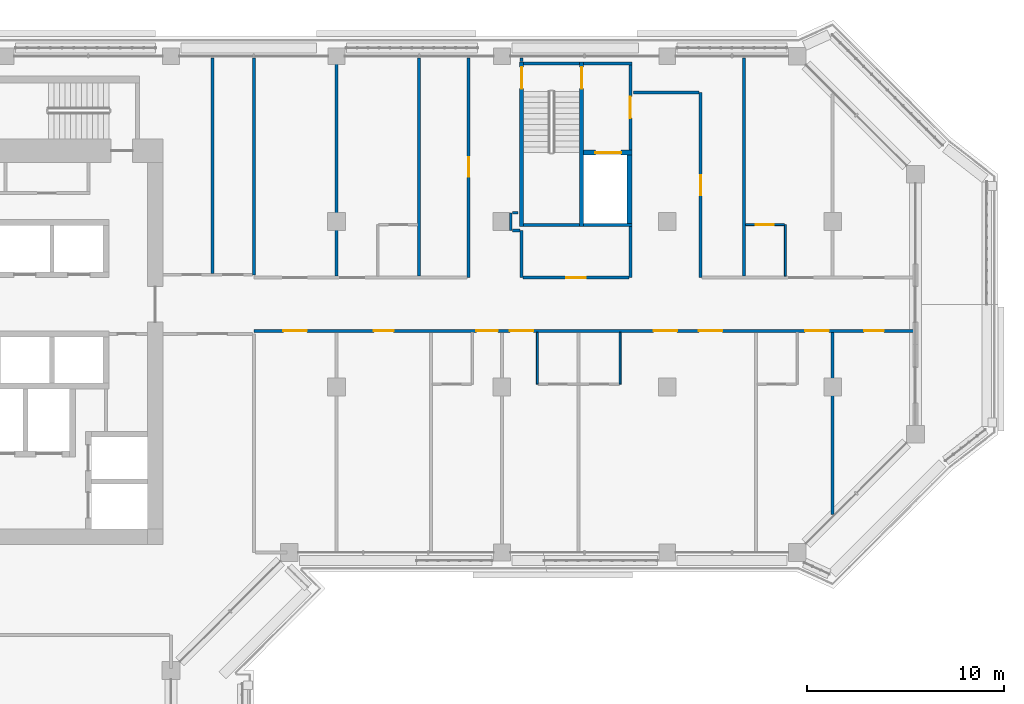
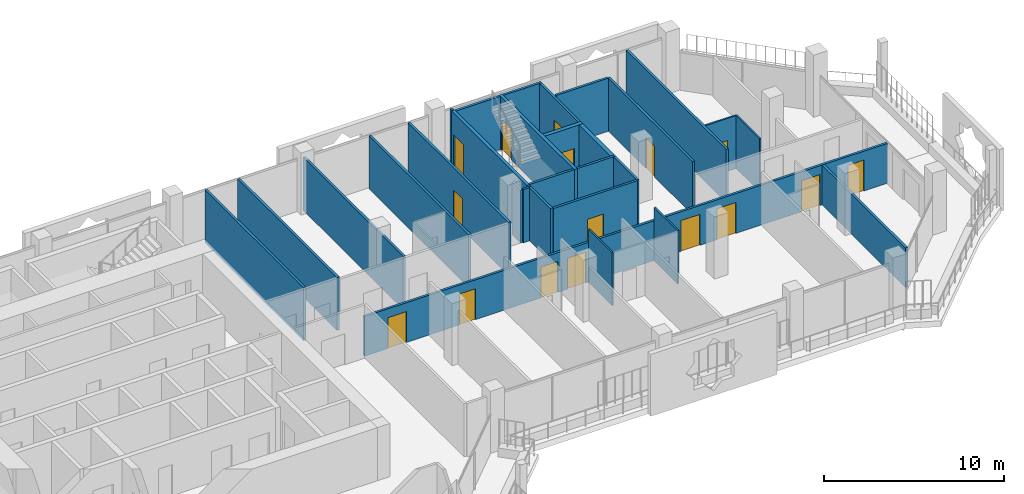
# One storey, part 13 of 22: 30 walls, 16 doors, 16 openings.
"""IFC4 building model written with IfcOpenShell, lengths in metres."""

from ifc_helpers import new_model, si_unit, direction, frame, frame_2d, origin, place, context, subcontext, project, spatial, rectangle, extrude, material, layer, layer_set, type_object, element, fill, save


model = new_model("IFC4")

# Units and contexts
model_context = context("Model", 3, precision=1e-05, world=origin(), true_north=direction((0.0, 1.0)))
body_context = subcontext(model_context, "Body", "Model", "MODEL_VIEW")
ifc_project = project(units=[si_unit("LENGTHUNIT", "METRE"), si_unit("AREAUNIT", "SQUARE_METRE"), si_unit("VOLUMEUNIT", "CUBIC_METRE"), si_unit("PLANEANGLEUNIT", "RADIAN"), si_unit("MASSUNIT", "GRAM", prefix="KILO")], contexts=[model_context])

# Site, building, storey
site_placement = place(None, origin())
site = spatial("IfcSite", under=ifc_project, at=site_placement, CompositionType="ELEMENT")
building_placement = place(site_placement, origin())
building = spatial("IfcBuilding", under=site, at=building_placement, Name="Kawkab Arch Medical Tower", CompositionType="ELEMENT")
storey_placement = place(building_placement, frame((0.0, 0.0, 251.60009765625)))
storey = spatial("IfcBuildingStorey", under=building, at=storey_placement, Name="L58", CompositionType="ELEMENT", Elevation=251.60009765625)

# Wall, opening, door
ifc_material_1 = material(Name="Gypsum board on steel studs", Category="steel")
ifc_layer_1 = layer(ifc_material_1, 0.14990234375)
ifc_layer_set_1 = layer_set([ifc_layer_1], Name="Gypsum board on steel studs")
wall_type_1 = type_object("IfcWallType", Name="Core room partition 150", PredefinedType="PARTITIONING", material=ifc_layer_set_1)
wall_1_placement = place(storey_placement, frame((48.52490234375, -4.77490234375, 0.0), z_axis=(0.0, 0.0, 1.0), x_axis=(0.0, 1.0, 0.0)))
wall_1 = element("IfcWall", 1, at=wall_1_placement, inside=storey, type_object=wall_type_1, Name="L58 core room partition", PredefinedType="PARTITIONING", context=body_context, shape_type="SweptSolid", body=[
    extrude(rectangle(XDim=4.324951171875, YDim=0.14990234375, at=frame_2d((2.16259765625, 0.0))), origin(), (0.0, 0.0, 1.0), 3.599853515625),
])
opening_1_placement = place(wall_1_placement, frame((1.625, 0.0, 0.0)))
opening_1 = element("IfcOpeningElement", 2, at=opening_1_placement, cuts=wall_1, Name="Opening FD", PredefinedType="OPENING", context=body_context, shape_type="SweptSolid", body=[
    extrude(rectangle(XDim=1.10009765625, YDim=2.10009765625, at=frame_2d((0.550048828125, 1.050048828125))), frame((0.0, 0.0849609375, 0.0), z_axis=(0.0, -1.0, 0.0), x_axis=(1.0, 0.0, 0.0)), (0.0, 0.0, 1.0), 0.169921875),
])
ifc_material_2 = material(Name="Hollow metal fire door leaf")
door_type_1 = type_object("IfcDoorType", Name="Firefighting lobby door 1100", OperationType="SINGLE_SWING_LEFT", PredefinedType="DOOR", material=ifc_material_2)
door_1_placement = place(opening_1_placement, origin())
door_1 = element("IfcDoor", 3, at=door_1_placement, inside=storey, type_object=door_type_1, Name="L58 Service lift lobby door SV1", OperationType="SINGLE_SWING_LEFT", OverallHeight=2.10009765625, OverallWidth=1.10009765625, PredefinedType="DOOR", context=body_context, shape_type="SweptSolid", body=[
    extrude(rectangle(XDim=1.10009765625, YDim=2.10009765625, at=frame_2d((0.550048828125, 1.050048828125))), frame((0.0, 0.02490234375, 0.0), z_axis=(0.0, -1.0, 0.0), x_axis=(1.0, 0.0, 0.0)), (0.0, 0.0, 1.0), 0.050048828125),
])
fill(opening_1, door_1)

ifc_material_3 = material(Name="Concrete C60/75", Category="concrete")
ifc_layer_2 = layer(ifc_material_3, 0.25)
ifc_layer_set_2 = layer_set([ifc_layer_2], Name="Concrete C60/75")
wall_type_2 = type_object("IfcWallType", Name="Core shear wall 250 C60/75", PredefinedType="SHEAR", material=ifc_layer_set_2)
wall_2_placement = place(storey_placement, frame((46.14990234375, -4.89990234375, 0.0), z_axis=(0.0, 0.0, 1.0), x_axis=(1.0, 0.0, 0.0)))
wall_2 = element("IfcWall", 4, at=wall_2_placement, inside=storey, type_object=wall_type_2, Name="L58 core shear wall", PredefinedType="SHEAR", context=body_context, shape_type="SweptSolid", body=[
    extrude(rectangle(XDim=2.4501953125, YDim=0.25, at=frame_2d((1.22509765625, 0.0))), origin(), (0.0, 0.0, 1.0), 3.599853515625),
])
opening_2_placement = place(wall_2_placement, frame((0.60009765625, 0.0, 0.0)))
opening_2 = element("IfcOpeningElement", 5, at=opening_2_placement, cuts=wall_2, Name="Opening LD2", PredefinedType="OPENING", context=body_context, shape_type="SweptSolid", body=[
    extrude(rectangle(XDim=1.300048828125, YDim=2.10009765625, at=frame_2d((0.64990234375, 1.050048828125))), frame((0.0, 0.135009765625, 0.0), z_axis=(0.0, -1.0, 0.0), x_axis=(1.0, 0.0, 0.0)), (0.0, 0.0, 1.0), 0.27001953125),
])
ifc_material_4 = material(Name="Stainless steel lift door leaf", Category="steel")
door_type_2 = type_object("IfcDoorType", Name="Lift landing door 1300", OperationType="DOUBLE_DOOR_SLIDING", PredefinedType="DOOR", material=ifc_material_4)
door_2_placement = place(opening_2_placement, origin())
door_2 = element("IfcDoor", 6, at=door_2_placement, inside=storey, type_object=door_type_2, Name="L58 Lift landing door SV1", OperationType="DOUBLE_DOOR_SLIDING", OverallHeight=2.10009765625, OverallWidth=1.300048828125, PredefinedType="DOOR", context=body_context, shape_type="SweptSolid", body=[
    extrude(rectangle(XDim=1.300048828125, YDim=2.10009765625, at=frame_2d((0.64990234375, 1.050048828125))), frame((0.0, 0.02490234375, 0.0), z_axis=(0.0, -1.0, 0.0), x_axis=(1.0, 0.0, 0.0)), (0.0, 0.0, 1.0), 0.050048828125),
])
fill(opening_2, door_2)

# Wall
wall_3_placement = place(storey_placement, frame((48.47509765625, -8.5, 0.0), z_axis=(0.0, 0.0, 1.0), x_axis=(0.0, 1.0, 0.0)))
element("IfcWall", 7, at=wall_3_placement, inside=storey, type_object=wall_type_2, Name="L58 core shear wall", PredefinedType="SHEAR", context=body_context, shape_type="SweptSolid", body=[
    extrude(rectangle(XDim=3.47509765625, YDim=0.25, at=frame_2d((1.737548828125, 0.0))), origin(), (0.0, 0.0, 1.0), 3.599853515625),
])

# Wall, opening, door
ifc_material_5 = material(Name="Gypsum board partition on steel studs", Category="steel")
ifc_layer_3 = layer(ifc_material_5, 0.10009765625)
ifc_layer_set_3 = layer_set([ifc_layer_3], Name="Gypsum board partition on steel studs")
wall_type_3 = type_object("IfcWallType", Name="Partition 100", PredefinedType="PARTITIONING", material=ifc_layer_set_3)
wall_4_placement = place(storey_placement, frame((54.375, -8.550048828125, 0.0), z_axis=(0.0, 0.0, 1.0), x_axis=(1.0, 0.0, 0.0)))
wall_4 = element("IfcWall", 8, at=wall_4_placement, inside=storey, type_object=wall_type_3, Name="Partition 100 w005", PredefinedType="PARTITIONING", context=body_context, shape_type="SweptSolid", body=[
    extrude(rectangle(XDim=1.97509765625, YDim=0.10009765625, at=frame_2d((0.987548828125, 0.0))), origin(), (0.0, 0.0, 1.0), 3.599853515625),
])
opening_3_placement = place(wall_4_placement, frame((0.52490234375, 0.0, 0.0)))
opening_3 = element("IfcOpeningElement", 9, at=opening_3_placement, cuts=wall_4, Name="Opening W53-004", PredefinedType="OPENING", context=body_context, shape_type="SweptSolid", body=[
    extrude(rectangle(XDim=0.89990234375, YDim=2.10009765625, at=frame_2d((0.449951171875, 1.050048828125))), frame((0.0, 0.06005859375, 0.0), z_axis=(0.0, -1.0, 0.0), x_axis=(1.0, 0.0, 0.0)), (0.0, 0.0, 1.0), 0.1201171875),
])
ifc_material_6 = material(Name="Timber door leaf", Category="wood")
door_type_3 = type_object("IfcDoorType", Name="Single door 900x2100", OperationType="NOTDEFINED", PredefinedType="DOOR", material=ifc_material_6)
door_3_placement = place(opening_3_placement, origin())
door_3 = element("IfcDoor", 10, at=door_3_placement, inside=storey, type_object=door_type_3, Name="Door W53-004", OperationType="SINGLE_SWING_LEFT", OverallHeight=2.10009765625, OverallWidth=0.89990234375, PredefinedType="DOOR", context=body_context, shape_type="SweptSolid", body=[
    extrude(rectangle(XDim=0.89990234375, YDim=2.10009765625, at=frame_2d((0.449951171875, 1.050048828125))), frame((0.0, 0.02490234375, 0.0), z_axis=(0.0, -1.0, 0.0), x_axis=(1.0, 0.0, 0.0)), (0.0, 0.0, 1.0), 0.050048828125),
])
fill(opening_3, door_3)

# Walls
for number, where, z_axis, x_axis, name in (
    (11, (43.800048828125, -16.64990234375, 0.0), (0.0, 0.0, 1.0), (0.0, 1.0, 0.0), "Partition 100 w008"),
    (12, (48.0, -16.64990234375, 0.0), (0.0, 0.0, 1.0), (0.0, 1.0, 0.0), "Partition 100 w009"),
    (13, (56.39990234375, -11.175048828125, 0.0), (0.0, 0.0, 1.0), (0.0, 1.0, 0.0), "Partition 100 w010"),
):
    element("IfcWall", number, at=place(storey_placement, frame(where, z_axis=z_axis, x_axis=x_axis)), inside=storey, type_object=wall_type_3, Name=name, PredefinedType="PARTITIONING", context=body_context, shape_type="SweptSolid", body=[
        extrude(rectangle(XDim=2.625, YDim=0.10009765625, at=frame_2d((1.3125, 0.0))), origin(), (0.0, 0.0, 1.0), 3.599853515625),
    ])

# Wall, openings, doors
ifc_material_7 = material(Name="Gypsum board partition on steel studs, mineral wool", Category="steel")
ifc_layer_4 = layer(ifc_material_7, 0.14990234375)
ifc_layer_set_4 = layer_set([ifc_layer_4], Name="Gypsum board partition on steel studs, mineral wool")
wall_type_4 = type_object("IfcWallType", Name="Partition 150", PredefinedType="PARTITIONING", material=ifc_layer_set_4)
wall_5_placement = place(storey_placement, frame((29.39990234375, -13.949951171875, 0.0), z_axis=(0.0, 0.0, 1.0), x_axis=(1.0, 0.0, 0.0)))
wall_5 = element("IfcWall", 14, at=wall_5_placement, inside=storey, type_object=wall_type_4, Name="Partition 150 w023", PredefinedType="PARTITIONING", context=body_context, shape_type="SweptSolid", body=[
    extrude(rectangle(XDim=33.52001953125, YDim=0.14990234375, at=frame_2d((16.760009765625, 0.0))), origin(), (0.0, 0.0, 1.0), 2.699951171875),
])
opening_4_placement = place(wall_5_placement, frame((1.5, 0.0, 0.0)))
opening_4 = element("IfcOpeningElement", 15, at=opening_4_placement, cuts=wall_5, Name="Opening W53-026", PredefinedType="OPENING", context=body_context, shape_type="SweptSolid", body=[
    extrude(rectangle(XDim=1.199951171875, YDim=2.10009765625, at=frame_2d((0.60009765625, 1.050048828125))), frame((0.0, 0.0849609375, 0.0), z_axis=(0.0, -1.0, 0.0), x_axis=(1.0, 0.0, 0.0)), (0.0, 0.0, 1.0), 0.169921875),
])
opening_5_placement = place(wall_5_placement, frame((6.10009765625, 0.0, 0.0)))
opening_5 = element("IfcOpeningElement", 16, at=opening_5_placement, cuts=wall_5, Name="Opening W53-015", PredefinedType="OPENING", context=body_context, shape_type="SweptSolid", body=[
    extrude(rectangle(XDim=1.0, YDim=2.10009765625, at=frame_2d((0.5, 1.050048828125))), frame((0.0, 0.0849609375, 0.0), z_axis=(0.0, -1.0, 0.0), x_axis=(1.0, 0.0, 0.0)), (0.0, 0.0, 1.0), 0.169921875),
])
opening_6_placement = place(wall_5_placement, frame((11.300048828125, 0.0, 0.0)))
opening_6 = element("IfcOpeningElement", 17, at=opening_6_placement, cuts=wall_5, Name="Opening W53-023", PredefinedType="OPENING", context=body_context, shape_type="SweptSolid", body=[
    extrude(rectangle(XDim=1.10009765625, YDim=2.10009765625, at=frame_2d((0.550048828125, 1.050048828125))), frame((0.0, 0.0849609375, 0.0), z_axis=(0.0, -1.0, 0.0), x_axis=(1.0, 0.0, 0.0)), (0.0, 0.0, 1.0), 0.169921875),
])
opening_7_placement = place(wall_5_placement, frame((13.0, 0.0, 0.0)))
opening_7 = element("IfcOpeningElement", 18, at=opening_7_placement, cuts=wall_5, Name="Opening W53-027", PredefinedType="OPENING", context=body_context, shape_type="SweptSolid", body=[
    extrude(rectangle(XDim=1.199951171875, YDim=2.10009765625, at=frame_2d((0.60009765625, 1.050048828125))), frame((0.0, 0.0849609375, 0.0), z_axis=(0.0, -1.0, 0.0), x_axis=(1.0, 0.0, 0.0)), (0.0, 0.0, 1.0), 0.169921875),
])
opening_8_placement = place(wall_5_placement, frame((22.60009765625, 0.0, 0.0)))
opening_8 = element("IfcOpeningElement", 19, at=opening_8_placement, cuts=wall_5, Name="Opening W53-028", PredefinedType="OPENING", context=body_context, shape_type="SweptSolid", body=[
    extrude(rectangle(XDim=1.199951171875, YDim=2.10009765625, at=frame_2d((0.60009765625, 1.050048828125))), frame((0.0, 0.0849609375, 0.0), z_axis=(0.0, -1.0, 0.0), x_axis=(1.0, 0.0, 0.0)), (0.0, 0.0, 1.0), 0.169921875),
])
opening_9_placement = place(wall_5_placement, frame((20.300048828125, 0.0, 0.0)))
opening_9 = element("IfcOpeningElement", 20, at=opening_9_placement, cuts=wall_5, Name="Opening W53-029", PredefinedType="OPENING", context=body_context, shape_type="SweptSolid", body=[
    extrude(rectangle(XDim=1.199951171875, YDim=2.10009765625, at=frame_2d((0.60009765625, 1.050048828125))), frame((0.0, 0.0849609375, 0.0), z_axis=(0.0, -1.0, 0.0), x_axis=(1.0, 0.0, 0.0)), (0.0, 0.0, 1.0), 0.169921875),
])
opening_10_placement = place(wall_5_placement, frame((28.0, 0.0, 0.0)))
opening_10 = element("IfcOpeningElement", 21, at=opening_10_placement, cuts=wall_5, Name="Opening W53-030", PredefinedType="OPENING", context=body_context, shape_type="SweptSolid", body=[
    extrude(rectangle(XDim=1.199951171875, YDim=2.10009765625, at=frame_2d((0.60009765625, 1.050048828125))), frame((0.0, 0.0849609375, 0.0), z_axis=(0.0, -1.0, 0.0), x_axis=(1.0, 0.0, 0.0)), (0.0, 0.0, 1.0), 0.169921875),
])
opening_11_placement = place(wall_5_placement, frame((31.0, 0.0, 0.0)))
opening_11 = element("IfcOpeningElement", 22, at=opening_11_placement, cuts=wall_5, Name="Opening W53-016", PredefinedType="OPENING", context=body_context, shape_type="SweptSolid", body=[
    extrude(rectangle(XDim=1.0, YDim=2.10009765625, at=frame_2d((0.5, 1.050048828125))), frame((0.0, 0.0849609375, 0.0), z_axis=(0.0, -1.0, 0.0), x_axis=(1.0, 0.0, 0.0)), (0.0, 0.0, 1.0), 0.169921875),
])
ifc_material_8 = material(Name="Hollow metal door leaf")
door_type_4 = type_object("IfcDoorType", Name="Single door 1000x2100 FD30S", OperationType="NOTDEFINED", PredefinedType="DOOR", material=ifc_material_8)
door_4_placement = place(opening_5_placement, origin())
door_4 = element("IfcDoor", 23, at=door_4_placement, inside=storey, type_object=door_type_4, Name="Door W53-015", OperationType="SINGLE_SWING_RIGHT", OverallHeight=2.10009765625, OverallWidth=1.0, PredefinedType="DOOR", context=body_context, shape_type="SweptSolid", body=[
    extrude(rectangle(XDim=1.0, YDim=2.10009765625, at=frame_2d((0.5, 1.050048828125))), frame((0.0, 0.02490234375, 0.0), z_axis=(0.0, -1.0, 0.0), x_axis=(1.0, 0.0, 0.0)), (0.0, 0.0, 1.0), 0.050048828125),
])
fill(opening_5, door_4)
door_5_placement = place(opening_11_placement, origin())
door_5 = element("IfcDoor", 24, at=door_5_placement, inside=storey, type_object=door_type_4, Name="Door W53-016", OperationType="SINGLE_SWING_LEFT", OverallHeight=2.10009765625, OverallWidth=1.0, PredefinedType="DOOR", context=body_context, shape_type="SweptSolid", body=[
    extrude(rectangle(XDim=1.0, YDim=2.10009765625, at=frame_2d((0.5, 1.050048828125))), frame((0.0, 0.02490234375, 0.0), z_axis=(0.0, -1.0, 0.0), x_axis=(1.0, 0.0, 0.0)), (0.0, 0.0, 1.0), 0.050048828125),
])
fill(opening_11, door_5)
ifc_material_9 = material(Name="Hollow metal door leaf")
door_type_5 = type_object("IfcDoorType", Name="Single door 1100x2100 FD30S", OperationType="NOTDEFINED", PredefinedType="DOOR", material=ifc_material_9)
door_6_placement = place(opening_6_placement, origin())
door_6 = element("IfcDoor", 25, at=door_6_placement, inside=storey, type_object=door_type_5, Name="Door W53-023", OperationType="SINGLE_SWING_RIGHT", OverallHeight=2.10009765625, OverallWidth=1.10009765625, PredefinedType="DOOR", context=body_context, shape_type="SweptSolid", body=[
    extrude(rectangle(XDim=1.10009765625, YDim=2.10009765625, at=frame_2d((0.550048828125, 1.050048828125))), frame((0.0, 0.02490234375, 0.0), z_axis=(0.0, -1.0, 0.0), x_axis=(1.0, 0.0, 0.0)), (0.0, 0.0, 1.0), 0.050048828125),
])
fill(opening_6, door_6)
ifc_material_10 = material(Name="Hollow metal door leaf")
door_type_6 = type_object("IfcDoorType", Name="Single door 1200x2100 FD30S", OperationType="NOTDEFINED", PredefinedType="DOOR", material=ifc_material_10)
door_7_placement = place(opening_4_placement, origin())
door_7 = element("IfcDoor", 26, at=door_7_placement, inside=storey, type_object=door_type_6, Name="Door W53-026", OperationType="SINGLE_SWING_RIGHT", OverallHeight=2.10009765625, OverallWidth=1.199951171875, PredefinedType="DOOR", context=body_context, shape_type="SweptSolid", body=[
    extrude(rectangle(XDim=1.199951171875, YDim=2.10009765625, at=frame_2d((0.60009765625, 1.050048828125))), frame((0.0, 0.02490234375, 0.0), z_axis=(0.0, -1.0, 0.0), x_axis=(1.0, 0.0, 0.0)), (0.0, 0.0, 1.0), 0.050048828125),
])
fill(opening_4, door_7)
door_8_placement = place(opening_7_placement, origin())
door_8 = element("IfcDoor", 27, at=door_8_placement, inside=storey, type_object=door_type_6, Name="Door W53-027", OperationType="SINGLE_SWING_RIGHT", OverallHeight=2.10009765625, OverallWidth=1.199951171875, PredefinedType="DOOR", context=body_context, shape_type="SweptSolid", body=[
    extrude(rectangle(XDim=1.199951171875, YDim=2.10009765625, at=frame_2d((0.60009765625, 1.050048828125))), frame((0.0, 0.02490234375, 0.0), z_axis=(0.0, -1.0, 0.0), x_axis=(1.0, 0.0, 0.0)), (0.0, 0.0, 1.0), 0.050048828125),
])
fill(opening_7, door_8)
door_9_placement = place(opening_8_placement, origin())
door_9 = element("IfcDoor", 28, at=door_9_placement, inside=storey, type_object=door_type_6, Name="Door W53-028", OperationType="SINGLE_SWING_LEFT", OverallHeight=2.10009765625, OverallWidth=1.199951171875, PredefinedType="DOOR", context=body_context, shape_type="SweptSolid", body=[
    extrude(rectangle(XDim=1.199951171875, YDim=2.10009765625, at=frame_2d((0.60009765625, 1.050048828125))), frame((0.0, 0.02490234375, 0.0), z_axis=(0.0, -1.0, 0.0), x_axis=(1.0, 0.0, 0.0)), (0.0, 0.0, 1.0), 0.050048828125),
])
fill(opening_8, door_9)
door_10_placement = place(opening_9_placement, origin())
door_10 = element("IfcDoor", 29, at=door_10_placement, inside=storey, type_object=door_type_6, Name="Door W53-029", OperationType="SINGLE_SWING_LEFT", OverallHeight=2.10009765625, OverallWidth=1.199951171875, PredefinedType="DOOR", context=body_context, shape_type="SweptSolid", body=[
    extrude(rectangle(XDim=1.199951171875, YDim=2.10009765625, at=frame_2d((0.60009765625, 1.050048828125))), frame((0.0, 0.02490234375, 0.0), z_axis=(0.0, -1.0, 0.0), x_axis=(1.0, 0.0, 0.0)), (0.0, 0.0, 1.0), 0.050048828125),
])
fill(opening_9, door_10)
door_11_placement = place(opening_10_placement, origin())
door_11 = element("IfcDoor", 30, at=door_11_placement, inside=storey, type_object=door_type_6, Name="Door W53-030", OperationType="SINGLE_SWING_LEFT", OverallHeight=2.10009765625, OverallWidth=1.199951171875, PredefinedType="DOOR", context=body_context, shape_type="SweptSolid", body=[
    extrude(rectangle(XDim=1.199951171875, YDim=2.10009765625, at=frame_2d((0.60009765625, 1.050048828125))), frame((0.0, 0.02490234375, 0.0), z_axis=(0.0, -1.0, 0.0), x_axis=(1.0, 0.0, 0.0)), (0.0, 0.0, 1.0), 0.050048828125),
])
fill(opening_10, door_11)

# Wall, opening, door
wall_6_placement = place(storey_placement, frame((43.074951171875, -11.25, 0.0), z_axis=(0.0, 0.0, 1.0), x_axis=(1.0, 0.0, 0.0)))
wall_6 = element("IfcWall", 31, at=wall_6_placement, inside=storey, type_object=wall_type_4, Name="Partition 150 w025", PredefinedType="PARTITIONING", context=body_context, shape_type="SweptSolid", body=[
    extrude(rectangle(XDim=5.375, YDim=0.14990234375, at=frame_2d((2.6875, 0.0))), origin(), (0.0, 0.0, 1.0), 3.599853515625),
])
opening_12_placement = place(wall_6_placement, frame((2.18798828125, 0.0, 0.0)))
opening_12 = element("IfcOpeningElement", 32, at=opening_12_placement, cuts=wall_6, Name="Opening W53-012", PredefinedType="OPENING", context=body_context, shape_type="SweptSolid", body=[
    extrude(rectangle(XDim=1.0, YDim=2.10009765625, at=frame_2d((0.5, 1.050048828125))), frame((0.0, 0.0849609375, 0.0), z_axis=(0.0, -1.0, 0.0), x_axis=(1.0, 0.0, 0.0)), (0.0, 0.0, 1.0), 0.169921875),
])
door_12_placement = place(opening_12_placement, origin())
door_12 = element("IfcDoor", 33, at=door_12_placement, inside=storey, type_object=door_type_4, Name="Door W53-012", OperationType="SINGLE_SWING_RIGHT", OverallHeight=2.10009765625, OverallWidth=1.0, PredefinedType="DOOR", context=body_context, shape_type="SweptSolid", body=[
    extrude(rectangle(XDim=1.0, YDim=2.10009765625, at=frame_2d((0.5, 1.050048828125))), frame((0.0, 0.02490234375, 0.0), z_axis=(0.0, -1.0, 0.0), x_axis=(1.0, 0.0, 0.0)), (0.0, 0.0, 1.0), 0.050048828125),
])
fill(opening_12, door_12)

# Walls
wall_7_placement = place(storey_placement, frame((42.527099609375, -8.85009765625, 0.0), z_axis=(0.0, 0.0, 1.0), x_axis=(1.0, 0.0, 0.0)))
element("IfcWall", 34, at=wall_7_placement, inside=storey, type_object=wall_type_4, Name="Partition 150 w028", PredefinedType="PARTITIONING", context=body_context, shape_type="SweptSolid", body=[
    extrude(rectangle(XDim=0.39599609375, YDim=0.14990234375, at=frame_2d((0.197998046875, 0.0))), origin(), (0.0, 0.0, 1.0), 3.599853515625),
])
wall_8_placement = place(storey_placement, frame((42.527099609375, -7.949951171875, 0.0), z_axis=(0.0, 0.0, 1.0), x_axis=(1.0, 0.0, 0.0)))
element("IfcWall", 35, at=wall_8_placement, inside=storey, type_object=wall_type_4, Name="Partition 150 w029", PredefinedType="PARTITIONING", context=body_context, shape_type="SweptSolid", body=[
    extrude(rectangle(XDim=0.29296875, YDim=0.14990234375, at=frame_2d((0.146484375, 0.0))), origin(), (0.0, 0.0, 1.0), 3.599853515625),
])
wall_9_placement = place(storey_placement, frame((48.679931640625, -1.85009765625, 0.0), z_axis=(0.0, 0.0, 1.0), x_axis=(1.0, 0.0, 0.0)))
element("IfcWall", 36, at=wall_9_placement, inside=storey, type_object=wall_type_4, Name="Partition 150 w030", PredefinedType="PARTITIONING", context=body_context, shape_type="SweptSolid", body=[
    extrude(rectangle(XDim=3.336181640625, YDim=0.14990234375, at=frame_2d((1.66796875, 0.0))), origin(), (0.0, 0.0, 1.0), 3.599853515625),
])
wall_10_placement = place(storey_placement, frame((27.300048828125, -11.02490234375, 0.0), z_axis=(0.0, 0.0, 1.0), x_axis=(0.0, 1.0, 0.0)))
element("IfcWall", 37, at=wall_10_placement, inside=storey, type_object=wall_type_4, Name="Partition 150 w043", PredefinedType="PARTITIONING", context=body_context, shape_type="SweptSolid", body=[
    extrude(rectangle(XDim=10.94482421875, YDim=0.14990234375, at=frame_2d((5.472412109375, 0.0))), origin(), (0.0, 0.0, 1.0), 3.599853515625),
])
wall_11_placement = place(storey_placement, frame((29.39990234375, -11.10009765625, 0.0), z_axis=(0.0, 0.0, 1.0), x_axis=(0.0, 1.0, 0.0)))
element("IfcWall", 38, at=wall_11_placement, inside=storey, type_object=wall_type_4, Name="Partition 150 w045", PredefinedType="PARTITIONING", context=body_context, shape_type="SweptSolid", body=[
    extrude(rectangle(XDim=11.02001953125, YDim=0.14990234375, at=frame_2d((5.510009765625, 0.0))), origin(), (0.0, 0.0, 1.0), 3.599853515625),
])
for number, where, z_axis, x_axis, name in (
    (39, (33.60009765625, -11.175048828125, 0.0), (0.0, 0.0, 1.0), (0.0, 1.0, 0.0), "Partition 150 w047"),
    (40, (37.800048828125, -11.175048828125, 0.0), (0.0, 0.0, 1.0), (0.0, 1.0, 0.0), "Partition 150 w048"),
):
    element("IfcWall", number, at=place(storey_placement, frame(where, z_axis=z_axis, x_axis=x_axis)), inside=storey, type_object=wall_type_4, Name=name, PredefinedType="PARTITIONING", context=body_context, shape_type="SweptSolid", body=[
        extrude(rectangle(XDim=11.094970703125, YDim=0.14990234375, at=frame_2d((5.54736328125, 0.0))), origin(), (0.0, 0.0, 1.0), 3.599853515625),
    ])

# Wall, opening, door
wall_12_placement = place(storey_placement, frame((40.306884765625, -11.25, 0.0), z_axis=(0.0, 0.0, 1.0), x_axis=(0.0, 1.0, 0.0)))
wall_12 = element("IfcWall", 41, at=wall_12_placement, inside=storey, type_object=wall_type_4, Name="Partition 150 w050", PredefinedType="PARTITIONING", context=body_context, shape_type="SweptSolid", body=[
    extrude(rectangle(XDim=11.169921875, YDim=0.14990234375, at=frame_2d((5.5849609375, 0.0))), origin(), (0.0, 0.0, 1.0), 3.599853515625),
])
opening_13_placement = place(wall_12_placement, frame((5.125, 0.0, 0.0)))
opening_13 = element("IfcOpeningElement", 42, at=opening_13_placement, cuts=wall_12, Name="Opening W53-011", PredefinedType="OPENING", context=body_context, shape_type="SweptSolid", body=[
    extrude(rectangle(XDim=1.0, YDim=2.10009765625, at=frame_2d((0.5, 1.050048828125))), frame((0.0, 0.0849609375, 0.0), z_axis=(0.0, -1.0, 0.0), x_axis=(1.0, 0.0, 0.0)), (0.0, 0.0, 1.0), 0.169921875),
])
door_13_placement = place(opening_13_placement, origin())
door_13 = element("IfcDoor", 43, at=door_13_placement, inside=storey, type_object=door_type_4, Name="Door W53-011", OperationType="SINGLE_SWING_LEFT", OverallHeight=2.10009765625, OverallWidth=1.0, PredefinedType="DOOR", context=body_context, shape_type="SweptSolid", body=[
    extrude(rectangle(XDim=1.0, YDim=2.10009765625, at=frame_2d((0.5, 1.050048828125))), frame((0.0, 0.02490234375, 0.0), z_axis=(0.0, -1.0, 0.0), x_axis=(1.0, 0.0, 0.0)), (0.0, 0.0, 1.0), 0.050048828125),
])
fill(opening_13, door_13)

# Walls
wall_13_placement = place(storey_placement, frame((42.449951171875, -8.84912109375, 0.0), z_axis=(0.0, 0.0, 1.0), x_axis=(0.0, 1.0, 0.0)))
element("IfcWall", 44, at=wall_13_placement, inside=storey, type_object=wall_type_4, Name="Partition 150 w052", PredefinedType="PARTITIONING", context=body_context, shape_type="SweptSolid", body=[
    extrude(rectangle(XDim=0.897216796875, YDim=0.14990234375, at=frame_2d((0.44873046875, 0.0))), origin(), (0.0, 0.0, 1.0), 3.599853515625),
])
wall_14_placement = place(storey_placement, frame((43.0, -11.25, 0.0), z_axis=(0.0, 0.0, 1.0), x_axis=(0.0, 1.0, 0.0)))
element("IfcWall", 45, at=wall_14_placement, inside=storey, type_object=wall_type_4, Name="Partition 150 w053", PredefinedType="PARTITIONING", context=body_context, shape_type="SweptSolid", body=[
    extrude(rectangle(XDim=2.39794921875, YDim=0.14990234375, at=frame_2d((1.198974609375, 0.0))), origin(), (0.0, 0.0, 1.0), 3.599853515625),
])
wall_15_placement = place(storey_placement, frame((43.0, -0.27001953125, 0.0), z_axis=(0.0, 0.0, 1.0), x_axis=(0.0, 1.0, 0.0)))
element("IfcWall", 46, at=wall_15_placement, inside=storey, type_object=wall_type_4, Name="Partition 150 w054", PredefinedType="PARTITIONING", context=body_context, shape_type="SweptSolid", body=[
    extrude(rectangle(XDim=0.18994140625, YDim=0.14990234375, at=frame_2d((0.094970703125, 0.0))), origin(), (0.0, 0.0, 1.0), 3.599853515625),
])
wall_16_placement = place(storey_placement, frame((48.52490234375, -11.25, 0.0), z_axis=(0.0, 0.0, 1.0), x_axis=(0.0, 1.0, 0.0)))
element("IfcWall", 47, at=wall_16_placement, inside=storey, type_object=wall_type_4, Name="Partition 150 w056", PredefinedType="PARTITIONING", context=body_context, shape_type="SweptSolid", body=[
    extrude(rectangle(XDim=2.60009765625, YDim=0.14990234375, at=frame_2d((1.300048828125, 0.0))), origin(), (0.0, 0.0, 1.0), 3.599853515625),
])

# Wall, opening, door
wall_17_placement = place(storey_placement, frame((52.093017578125, -11.25, 0.0), z_axis=(0.0, 0.0, 1.0), x_axis=(0.0, 1.0, 0.0)))
wall_17 = element("IfcWall", 48, at=wall_17_placement, inside=storey, type_object=wall_type_4, Name="Partition 150 w057", PredefinedType="PARTITIONING", context=body_context, shape_type="SweptSolid", body=[
    extrude(rectangle(XDim=9.39697265625, YDim=0.14990234375, at=frame_2d((4.698486328125, 0.0))), origin(), (0.0, 0.0, 1.0), 3.599853515625),
])
opening_14_placement = place(wall_17_placement, frame((4.198974609375, 0.0, 0.0)))
opening_14 = element("IfcOpeningElement", 49, at=opening_14_placement, cuts=wall_17, Name="Opening W53-013", PredefinedType="OPENING", context=body_context, shape_type="SweptSolid", body=[
    extrude(rectangle(XDim=1.0, YDim=2.10009765625, at=frame_2d((0.5, 1.050048828125))), frame((0.0, 0.0849609375, 0.0), z_axis=(0.0, -1.0, 0.0), x_axis=(1.0, 0.0, 0.0)), (0.0, 0.0, 1.0), 0.169921875),
])
door_14_placement = place(opening_14_placement, origin())
door_14 = element("IfcDoor", 50, at=door_14_placement, inside=storey, type_object=door_type_4, Name="Door W53-013", OperationType="SINGLE_SWING_RIGHT", OverallHeight=2.10009765625, OverallWidth=1.0, PredefinedType="DOOR", context=body_context, shape_type="SweptSolid", body=[
    extrude(rectangle(XDim=1.0, YDim=2.10009765625, at=frame_2d((0.5, 1.050048828125))), frame((0.0, 0.02490234375, 0.0), z_axis=(0.0, -1.0, 0.0), x_axis=(1.0, 0.0, 0.0)), (0.0, 0.0, 1.0), 0.050048828125),
])
fill(opening_14, door_14)

# Walls
wall_18_placement = place(storey_placement, frame((54.300048828125, -11.175048828125, 0.0), z_axis=(0.0, 0.0, 1.0), x_axis=(0.0, 1.0, 0.0)))
element("IfcWall", 51, at=wall_18_placement, inside=storey, type_object=wall_type_4, Name="Partition 150 w058", PredefinedType="PARTITIONING", context=body_context, shape_type="SweptSolid", body=[
    extrude(rectangle(XDim=11.094970703125, YDim=0.14990234375, at=frame_2d((5.54736328125, 0.0))), origin(), (0.0, 0.0, 1.0), 3.599853515625),
])
wall_19_placement = place(storey_placement, frame((58.800048828125, -23.287109375, 0.0), z_axis=(0.0, 0.0, 1.0), x_axis=(0.0, 1.0, 0.0)))
element("IfcWall", 52, at=wall_19_placement, inside=storey, type_object=wall_type_4, Name="Partition 150 w060", PredefinedType="PARTITIONING", context=body_context, shape_type="SweptSolid", body=[
    extrude(rectangle(XDim=9.26220703125, YDim=0.14990234375, at=frame_2d((4.631103515625, 0.0))), origin(), (0.0, 0.0, 1.0), 2.699951171875),
])
ifc_material_11 = material(Name="Concrete C50/60", Category="concrete")
ifc_layer_5 = layer(ifc_material_11, 0.14990234375)
ifc_layer_set_5 = layer_set([ifc_layer_5], Name="Concrete C50/60")
wall_type_5 = type_object("IfcWallType", Name="Stair enclosure wall 150 C50/60", PredefinedType="SHEAR", material=ifc_layer_set_5)
wall_20_placement = place(storey_placement, frame((43.10009765625, -0.375, 0.0), z_axis=(0.0, 0.0, 1.0), x_axis=(1.0, 0.0, 0.0)))
element("IfcWall", 53, at=wall_20_placement, inside=storey, type_object=wall_type_5, Name="L58 stair enclosure wall", PredefinedType="SHEAR", context=body_context, shape_type="SweptSolid", body=[
    extrude(rectangle(XDim=2.849853515625, YDim=0.14990234375, at=frame_2d((1.4248046875, 0.0))), origin(), (0.0, 0.0, 1.0), 3.599853515625),
])
wall_21_placement = place(storey_placement, frame((46.14990234375, -0.375, 0.0), z_axis=(0.0, 0.0, 1.0), x_axis=(1.0, 0.0, 0.0)))
element("IfcWall", 54, at=wall_21_placement, inside=storey, type_object=wall_type_5, Name="L58 stair enclosure wall", PredefinedType="SHEAR", context=body_context, shape_type="SweptSolid", body=[
    extrude(rectangle(XDim=2.4501953125, YDim=0.14990234375, at=frame_2d((1.22509765625, 0.0))), origin(), (0.0, 0.0, 1.0), 3.599853515625),
])
wall_22_placement = place(storey_placement, frame((43.10009765625, -8.574951171875, 0.0), z_axis=(0.0, 0.0, 1.0), x_axis=(1.0, 0.0, 0.0)))
element("IfcWall", 55, at=wall_22_placement, inside=storey, type_object=wall_type_5, Name="L58 stair enclosure wall", PredefinedType="SHEAR", context=body_context, shape_type="SweptSolid", body=[
    extrude(rectangle(XDim=2.849853515625, YDim=0.14990234375, at=frame_2d((1.4248046875, 0.0))), origin(), (0.0, 0.0, 1.0), 3.599853515625),
])
wall_23_placement = place(storey_placement, frame((46.14990234375, -8.574951171875, 0.0), z_axis=(0.0, 0.0, 1.0), x_axis=(1.0, 0.0, 0.0)))
element("IfcWall", 56, at=wall_23_placement, inside=storey, type_object=wall_type_5, Name="L58 stair enclosure wall", PredefinedType="SHEAR", context=body_context, shape_type="SweptSolid", body=[
    extrude(rectangle(XDim=2.4501953125, YDim=0.14990234375, at=frame_2d((1.22509765625, 0.0))), origin(), (0.0, 0.0, 1.0), 3.599853515625),
])

# Wall, opening, door
ifc_material_12 = material(Name="Concrete C50/60", Category="concrete")
ifc_layer_6 = layer(ifc_material_12, 0.199951171875)
ifc_layer_set_6 = layer_set([ifc_layer_6], Name="Concrete C50/60")
wall_type_6 = type_object("IfcWallType", Name="Stair enclosure wall 200 C50/60", PredefinedType="SHEAR", material=ifc_layer_set_6)
wall_24_placement = place(storey_placement, frame((43.0, -8.64990234375, 0.0), z_axis=(0.0, 0.0, 1.0), x_axis=(0.0, 1.0, 0.0)))
wall_24 = element("IfcWall", 57, at=wall_24_placement, inside=storey, type_object=wall_type_6, Name="L58 stair enclosure wall", PredefinedType="SHEAR", context=body_context, shape_type="SweptSolid", body=[
    extrude(rectangle(XDim=8.349853515625, YDim=0.199951171875, at=frame_2d((4.1748046875, 0.0))), origin(), (0.0, 0.0, 1.0), 3.599853515625),
])
opening_15_placement = place(wall_24_placement, frame((7.0, 0.0, 0.0)))
opening_15 = element("IfcOpeningElement", 58, at=opening_15_placement, cuts=wall_24, Name="Opening SD", PredefinedType="OPENING", context=body_context, shape_type="SweptSolid", body=[
    extrude(rectangle(XDim=1.10009765625, YDim=2.10009765625, at=frame_2d((0.550048828125, 1.050048828125))), frame((0.0, 0.10986328125, 0.0), z_axis=(0.0, -1.0, 0.0), x_axis=(1.0, 0.0, 0.0)), (0.0, 0.0, 1.0), 0.219970703125),
])
ifc_material_13 = material(Name="Hollow metal fire door leaf")
door_type_7 = type_object("IfcDoorType", Name="Exit stair door 1100", OperationType="SINGLE_SWING_LEFT", PredefinedType="DOOR", material=ifc_material_13)
door_15_placement = place(opening_15_placement, frame((1.10009765625, 0.0, 0.0), z_axis=(0.0, 0.0, 1.0), x_axis=(-1.0, 0.0, 0.0)))
door_15 = element("IfcDoor", 59, at=door_15_placement, inside=storey, type_object=door_type_7, Name="L58 Exit stair ST5 door", OperationType="SINGLE_SWING_LEFT", OverallHeight=2.10009765625, OverallWidth=1.10009765625, PredefinedType="DOOR", context=body_context, shape_type="SweptSolid", body=[
    extrude(rectangle(XDim=1.10009765625, YDim=2.10009765625, at=frame_2d((0.550048828125, 1.050048828125))), frame((0.0, 0.02490234375, 0.0), z_axis=(0.0, -1.0, 0.0), x_axis=(1.0, 0.0, 0.0)), (0.0, 0.0, 1.0), 0.050048828125),
])
fill(opening_15, door_15)

wall_25_placement = place(storey_placement, frame((46.050048828125, -8.64990234375, 0.0), z_axis=(0.0, 0.0, 1.0), x_axis=(0.0, 1.0, 0.0)))
wall_25 = element("IfcWall", 60, at=wall_25_placement, inside=storey, type_object=wall_type_6, Name="L58 stair enclosure wall", PredefinedType="SHEAR", context=body_context, shape_type="SweptSolid", body=[
    extrude(rectangle(XDim=8.349853515625, YDim=0.199951171875, at=frame_2d((4.1748046875, 0.0))), origin(), (0.0, 0.0, 1.0), 3.599853515625),
])
opening_16_placement = place(wall_25_placement, frame((7.0, 0.0, 0.0)))
opening_16 = element("IfcOpeningElement", 61, at=opening_16_placement, cuts=wall_25, Name="Opening SD", PredefinedType="OPENING", context=body_context, shape_type="SweptSolid", body=[
    extrude(rectangle(XDim=1.10009765625, YDim=2.10009765625, at=frame_2d((0.550048828125, 1.050048828125))), frame((0.0, 0.10986328125, 0.0), z_axis=(0.0, -1.0, 0.0), x_axis=(1.0, 0.0, 0.0)), (0.0, 0.0, 1.0), 0.219970703125),
])
door_16_placement = place(opening_16_placement, origin())
door_16 = element("IfcDoor", 62, at=door_16_placement, inside=storey, type_object=door_type_7, Name="L58 Exit stair ST5 lobby door", OperationType="SINGLE_SWING_LEFT", OverallHeight=2.10009765625, OverallWidth=1.10009765625, PredefinedType="DOOR", context=body_context, shape_type="SweptSolid", body=[
    extrude(rectangle(XDim=1.10009765625, YDim=2.10009765625, at=frame_2d((0.550048828125, 1.050048828125))), frame((0.0, 0.02490234375, 0.0), z_axis=(0.0, -1.0, 0.0), x_axis=(1.0, 0.0, 0.0)), (0.0, 0.0, 1.0), 0.050048828125),
])
fill(opening_16, door_16)

save(model, "model.ifc")
